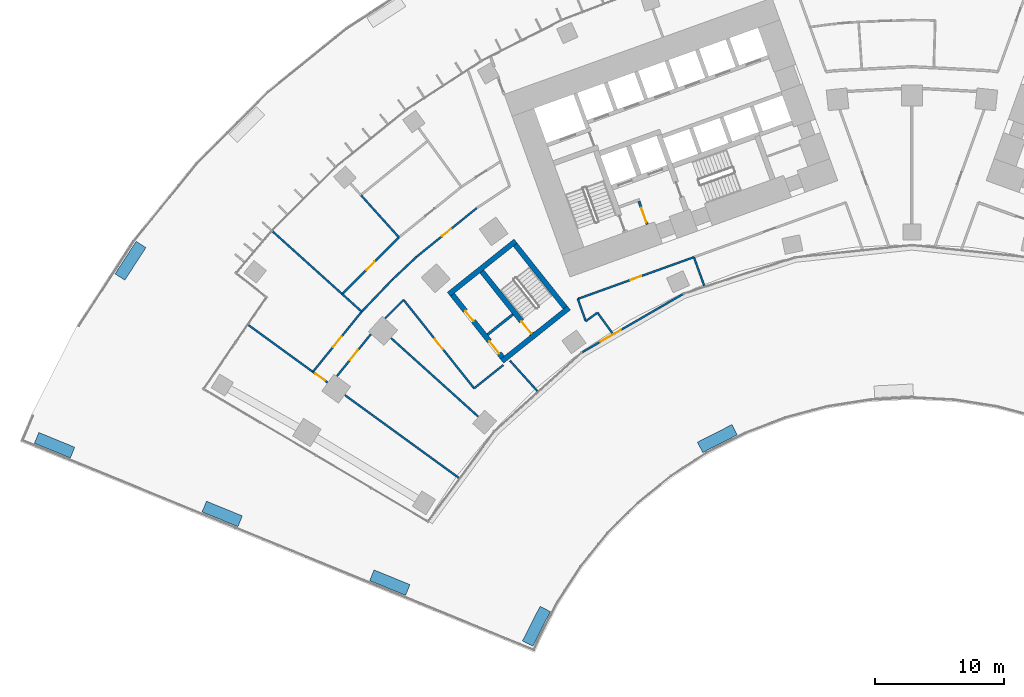
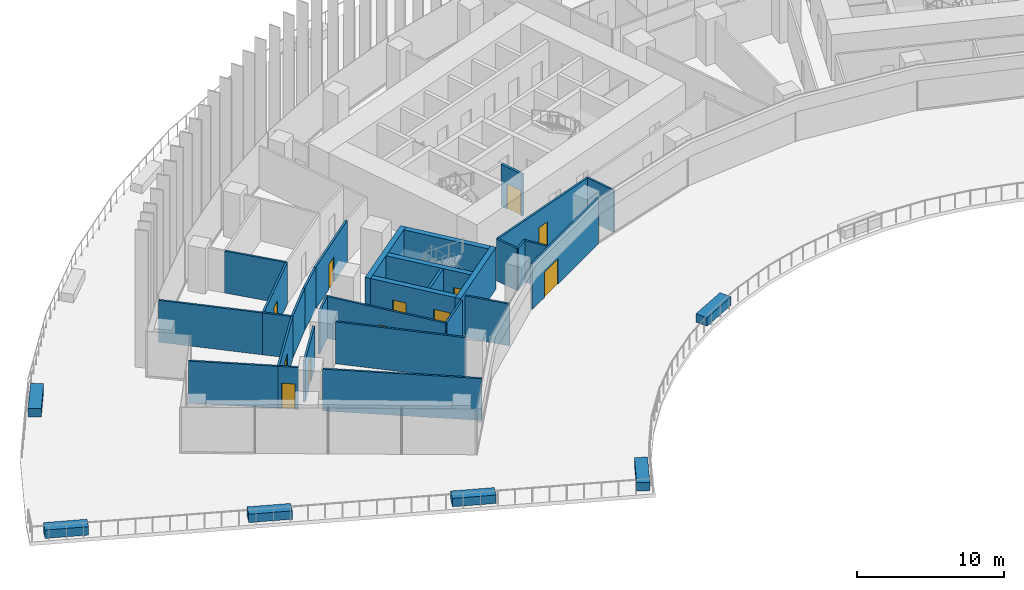
# One storey, part 15 of 24: 36 walls, 12 doors, 12 openings.
"""IFC4 building model written with IfcOpenShell, lengths in metres."""

from ifc_helpers import new_model, si_unit, direction, frame, frame_2d, origin, origin_2d, place, context, subcontext, project, spatial, rectangle, extrude, material, layer, layer_set, type_object, element, fill, save


model = new_model("IFC4")

# Units and contexts
model_context = context("Model", 3, precision=1e-05, world=origin(), true_north=direction((0.0, 1.0)))
body_context = subcontext(model_context, "Body", "Model", "MODEL_VIEW")
ifc_project = project(units=[si_unit("LENGTHUNIT", "METRE"), si_unit("AREAUNIT", "SQUARE_METRE"), si_unit("VOLUMEUNIT", "CUBIC_METRE"), si_unit("PLANEANGLEUNIT", "RADIAN"), si_unit("MASSUNIT", "GRAM", prefix="KILO")], contexts=[model_context])

# Site, building, storey
site_placement = place(None, origin())
site = spatial("IfcSite", under=ifc_project, at=site_placement, CompositionType="ELEMENT")
building_placement = place(site_placement, origin())
building = spatial("IfcBuilding", under=site, at=building_placement, Name="Stone Belt Terrace Tower", CompositionType="ELEMENT")
storey_placement = place(building_placement, frame((0.0, 0.0, 30.0)))
storey = spatial("IfcBuildingStorey", under=building, at=storey_placement, Name="L06", CompositionType="ELEMENT", Elevation=30.0)

# Wall, opening, door
ifc_material_1 = material(Name="Terracotta coloured glazed ceramic", Category="masonry")
ifc_layer_1 = layer(ifc_material_1, 0.14990234375)
ifc_layer_set_1 = layer_set([ifc_layer_1], Name="Ceramic rain-screen wall 150")
wall_type_1 = type_object("IfcWallType", Name="Ceramic rain-screen wall 150", PredefinedType="SOLIDWALL", material=ifc_layer_set_1)
wall_1_placement = place(storey_placement, frame((-25.49609375, 35.1474609375, 0.0), z_axis=(0.0, 0.0, 1.0), x_axis=(0.866019133895, 0.500010859609, 0.0)))
wall_1 = element("IfcWall", 1, at=wall_1_placement, inside=storey, type_object=wall_type_1, Name="Door wall L06", PredefinedType="SOLIDWALL", context=body_context, shape_type="SweptSolid", body=[
    extrude(rectangle(XDim=9.012939453125, YDim=0.14990234375, at=frame_2d((4.50634765625, 0.0))), origin(), (0.0, 0.0, 1.0), 3.800048828125),
])
opening_1_placement = place(wall_1_placement, frame((1.64990234375, 0.0, 0.0)))
opening_1 = element("IfcOpeningElement", 2, at=opening_1_placement, cuts=wall_1, Name="Opening L06-E01", PredefinedType="OPENING", context=body_context, shape_type="SweptSolid", body=[
    extrude(rectangle(XDim=1.800048828125, YDim=2.10009765625, at=frame_2d((0.89990234375, 1.050048828125))), frame((0.0, 0.0849609375, 0.0), z_axis=(0.0, -1.0, 0.0), x_axis=(1.0, 0.0, 0.0)), (0.0, 0.0, 1.0), 0.169921875),
])
ifc_material_2 = material(Name="Anodised aluminium glazed door", Category="aluminium")
door_type_1 = type_object("IfcDoorType", Name="Terrace double door 1800 x 2100", OperationType="DOUBLE_DOOR_DOUBLE_SWING", PredefinedType="DOOR", material=ifc_material_2)
door_1_placement = place(opening_1_placement, origin())
door_1 = element("IfcDoor", 3, at=door_1_placement, inside=storey, type_object=door_type_1, Name="Terrace door L06", OperationType="DOUBLE_DOOR_DOUBLE_SWING", OverallHeight=2.10009765625, OverallWidth=1.800048828125, PredefinedType="DOOR", context=body_context, shape_type="SweptSolid", body=[
    extrude(rectangle(XDim=1.800048828125, YDim=2.10009765625, at=frame_2d((0.89990234375, 1.050048828125))), frame((0.0, 0.02490234375, 0.0), z_axis=(0.0, -1.0, 0.0), x_axis=(1.0, 0.0, 0.0)), (0.0, 0.0, 1.0), 0.050048828125),
])
fill(opening_1, door_1)

# Walls
ifc_material_3 = material(Name="Gypsum board partition")
ifc_layer_2 = layer(ifc_material_3, 0.14990234375)
ifc_layer_set_2 = layer_set([ifc_layer_2], Name="PARTITION 150 EI 60")
wall_type_2 = type_object("IfcWallType", Name="PARTITION 150 EI 60", PredefinedType="PARTITIONING", material=ifc_layer_set_2)
wall_2_placement = place(storey_placement, frame((-25.827880859375, 39.280029296875, 0.0), z_axis=(0.0, 0.0, 1.0), x_axis=(0.338710020457, -0.940890813029, 0.0)))
element("IfcWall", 4, at=wall_2_placement, inside=storey, type_object=wall_type_2, Name="L06/wall/i001", PredefinedType="PARTITIONING", context=body_context, shape_type="SweptSolid", body=[
    extrude(rectangle(XDim=1.830078125, YDim=0.14990234375, at=frame_2d((0.9150390625, 0.0))), origin(), (0.0, 0.0, 1.0), 3.47998046875),
])
wall_3_placement = place(storey_placement, frame((-25.205078125, 37.556884765625, 0.0), z_axis=(0.0, 0.0, 1.0), x_axis=(0.808764478705, 0.588132653391, 0.0)))
element("IfcWall", 5, at=wall_3_placement, inside=storey, type_object=wall_type_2, Name="L06/wall/i002", PredefinedType="PARTITIONING", context=body_context, shape_type="SweptSolid", body=[
    extrude(rectangle(XDim=1.115478515625, YDim=0.14990234375, at=frame_2d((0.5576171875, 0.0))), origin(), (0.0, 0.0, 1.0), 3.47998046875),
])
wall_4_placement = place(storey_placement, frame((-24.302001953125, 38.2119140625, 0.0), z_axis=(0.0, 0.0, 1.0), x_axis=(0.587836546644, -0.808979724362, 0.0)))
element("IfcWall", 6, at=wall_4_placement, inside=storey, type_object=wall_type_2, Name="L06/wall/i003", PredefinedType="PARTITIONING", context=body_context, shape_type="SweptSolid", body=[
    extrude(rectangle(XDim=1.99267578125, YDim=0.14990234375, at=frame_2d((0.996337890625, 0.0))), origin(), (0.0, 0.0, 1.0), 3.47998046875),
])
wall_5_placement = place(storey_placement, frame((-28.94775390625, 32.149658203125, 0.0), z_axis=(0.0, 0.0, 1.0), x_axis=(-0.669245279782, 0.74304155704, 0.0)))
element("IfcWall", 7, at=wall_5_placement, inside=storey, type_object=wall_type_2, Name="L06/wall/i006", PredefinedType="PARTITIONING", context=body_context, shape_type="SweptSolid", body=[
    extrude(rectangle(XDim=3.172607421875, YDim=0.14990234375, at=frame_2d((1.58642578125, 0.0))), origin(), (0.0, 0.0, 1.0), 3.47998046875),
])

# Wall, opening, door
wall_6_placement = place(storey_placement, frame((-16.845947265625, 42.506103515625, 0.0), z_axis=(0.0, 0.0, 1.0), x_axis=(-0.940928824843, -0.338604410158, 0.0)))
wall_6 = element("IfcWall", 8, at=wall_6_placement, inside=storey, type_object=wall_type_2, Name="L06/wall/i014", PredefinedType="PARTITIONING", context=body_context, shape_type="SweptSolid", body=[
    extrude(rectangle(XDim=9.542724609375, YDim=0.14990234375, at=frame_2d((4.771484375, 0.0))), origin(), (0.0, 0.0, 1.0), 3.47998046875),
])
opening_2_placement = place(wall_6_placement, frame((4.3212890625, 0.0, 0.0)))
opening_2 = element("IfcOpeningElement", 9, at=opening_2_placement, cuts=wall_6, Name="Opening D-A1-01", PredefinedType="OPENING", context=body_context, shape_type="SweptSolid", body=[
    extrude(rectangle(XDim=0.89990234375, YDim=2.10009765625, at=frame_2d((0.449951171875, 1.050048828125))), frame((0.0, 0.0849609375, 0.0), z_axis=(0.0, -1.0, 0.0), x_axis=(1.0, 0.0, 0.0)), (0.0, 0.0, 1.0), 0.169921875),
])
ifc_material_4 = material(Name="Timber door leaf", Category="wood")
door_type_2 = type_object("IfcDoorType", Name="OFFICE DOOR 900 X 2100", OperationType="NOTDEFINED", PredefinedType="DOOR", material=ifc_material_4)
door_2_placement = place(opening_2_placement, origin())
door_2 = element("IfcDoor", 10, at=door_2_placement, inside=storey, type_object=door_type_2, Name="L06/door/i01", OperationType="SINGLE_SWING_RIGHT", OverallHeight=2.10009765625, OverallWidth=0.89990234375, PredefinedType="DOOR", context=body_context, shape_type="SweptSolid", body=[
    extrude(rectangle(XDim=0.89990234375, YDim=2.10009765625, at=frame_2d((0.449951171875, 1.050048828125))), frame((0.0, 0.02490234375, 0.0), z_axis=(0.0, -1.0, 0.0), x_axis=(1.0, 0.0, 0.0)), (0.0, 0.0, 1.0), 0.050048828125),
])
fill(opening_2, door_2)

# Wall
wall_7_placement = place(storey_placement, frame((-16.85205078125, 42.5029296875, 0.0), z_axis=(0.0, 0.0, 1.0), x_axis=(0.339252035749, -0.940695517285, 0.0)))
element("IfcWall", 11, at=wall_7_placement, inside=storey, type_object=wall_type_2, Name="L06/wall/i016", PredefinedType="PARTITIONING", context=body_context, shape_type="SweptSolid", body=[
    extrude(rectangle(XDim=2.369873046875, YDim=0.14990234375, at=frame_2d((1.18505859375, 0.0))), origin(), (0.0, 0.0, 1.0), 3.47998046875),
])

# Wall, opening, door
wall_8_placement = place(storey_placement, frame((-45.167236328125, 32.816162109375, 0.0), z_axis=(0.0, 0.0, 1.0), x_axis=(-0.809353623303, 0.587321643094, 0.0)))
wall_8 = element("IfcWall", 12, at=wall_8_placement, inside=storey, type_object=wall_type_2, Name="L06/wall/i033", PredefinedType="PARTITIONING", context=body_context, shape_type="SweptSolid", body=[
    extrude(rectangle(XDim=1.40087890625, YDim=0.14990234375, at=frame_2d((0.700439453125, 0.0))), origin(), (0.0, 0.0, 1.0), 3.47998046875),
])
opening_3_placement = place(wall_8_placement, frame((0.25048828125, 0.0, 0.0)))
opening_3 = element("IfcOpeningElement", 13, at=opening_3_placement, cuts=wall_8, Name="Opening D-A1-09", PredefinedType="OPENING", context=body_context, shape_type="SweptSolid", body=[
    extrude(rectangle(XDim=0.89990234375, YDim=2.10009765625, at=frame_2d((0.449951171875, 1.050048828125))), frame((0.0, 0.0849609375, 0.0), z_axis=(0.0, -1.0, 0.0), x_axis=(1.0, 0.0, 0.0)), (0.0, 0.0, 1.0), 0.169921875),
])
ifc_material_5 = material(Name="Timber fire door leaf", Category="wood")
door_type_3 = type_object("IfcDoorType", Name="TENANCY ENTRANCE DOOR 900 X 2100", OperationType="NOTDEFINED", PredefinedType="DOOR", material=ifc_material_5)
door_3_placement = place(opening_3_placement, origin())
door_3 = element("IfcDoor", 14, at=door_3_placement, inside=storey, type_object=door_type_3, Name="L06/door/i09", OperationType="SINGLE_SWING_RIGHT", OverallHeight=2.10009765625, OverallWidth=0.89990234375, PredefinedType="DOOR", context=body_context, shape_type="SweptSolid", body=[
    extrude(rectangle(XDim=0.89990234375, YDim=2.10009765625, at=frame_2d((0.449951171875, 1.050048828125))), frame((0.0, 0.02490234375, 0.0), z_axis=(0.0, -1.0, 0.0), x_axis=(1.0, 0.0, 0.0)), (0.0, 0.0, 1.0), 0.050048828125),
])
fill(opening_3, door_3)

# Walls
wall_9_placement = place(storey_placement, frame((-43.82470703125, 31.83984375, 0.0), z_axis=(0.0, 0.0, 1.0), x_axis=(0.80903281135, -0.587763481478, 0.0)))
element("IfcWall", 15, at=wall_9_placement, inside=storey, type_object=wall_type_2, Name="L06/wall/i034", PredefinedType="PARTITIONING", context=body_context, shape_type="SweptSolid", body=[
    extrude(rectangle(XDim=10.883544921875, YDim=0.14990234375, at=frame_2d((5.44189453125, 0.0))), origin(), (0.0, 0.0, 1.0), 3.47998046875),
])
wall_10_placement = place(storey_placement, frame((-51.27294921875, 37.251708984375, 0.0), z_axis=(0.0, 0.0, 1.0), x_axis=(0.809013729568, -0.587789745887, 0.0)))
element("IfcWall", 16, at=wall_10_placement, inside=storey, type_object=wall_type_2, Name="L06/wall/i035", PredefinedType="PARTITIONING", context=body_context, shape_type="SweptSolid", body=[
    extrude(rectangle(XDim=6.157958984375, YDim=0.14990234375, at=frame_2d((3.0791015625, 0.0))), origin(), (0.0, 0.0, 1.0), 3.47998046875),
])
wall_11_placement = place(storey_placement, frame((-40.1640625, 40.761962890625, 0.0), z_axis=(0.0, 0.0, 1.0), x_axis=(0.727996599904, 0.685580739613, 0.0)))
element("IfcWall", 17, at=wall_11_placement, inside=storey, type_object=wall_type_2, Name="L06/wall/i036", PredefinedType="PARTITIONING", context=body_context, shape_type="SweptSolid", body=[
    extrude(rectangle(XDim=2.572998046875, YDim=0.14990234375, at=frame_2d((1.28662109375, 0.0))), origin(), (0.0, 0.0, 1.0), 3.47998046875),
])

# Wall, opening, door
wall_12_placement = place(storey_placement, frame((-38.2900390625, 42.527099609375, 0.0), z_axis=(0.0, 0.0, 1.0), x_axis=(0.77714422733, 0.629322532513, 0.0)))
wall_12 = element("IfcWall", 18, at=wall_12_placement, inside=storey, type_object=wall_type_2, Name="L06/wall/i037", PredefinedType="PARTITIONING", context=body_context, shape_type="SweptSolid", body=[
    extrude(rectangle(XDim=5.98876953125, YDim=0.14990234375, at=frame_2d((2.994384765625, 0.0))), origin(), (0.0, 0.0, 1.0), 3.47998046875),
])
opening_4_placement = place(wall_12_placement, frame((2.54443359375, 0.0, 0.0)))
opening_4 = element("IfcOpeningElement", 19, at=opening_4_placement, cuts=wall_12, Name="Opening D-A1-12", PredefinedType="OPENING", context=body_context, shape_type="SweptSolid", body=[
    extrude(rectangle(XDim=0.89990234375, YDim=2.10009765625, at=frame_2d((0.449951171875, 1.050048828125))), frame((0.0, 0.0849609375, 0.0), z_axis=(0.0, -1.0, 0.0), x_axis=(1.0, 0.0, 0.0)), (0.0, 0.0, 1.0), 0.169921875),
])
door_4_placement = place(opening_4_placement, origin())
door_4 = element("IfcDoor", 20, at=door_4_placement, inside=storey, type_object=door_type_2, Name="L06/door/i12", OperationType="SINGLE_SWING_RIGHT", OverallHeight=2.10009765625, OverallWidth=0.89990234375, PredefinedType="DOOR", context=body_context, shape_type="SweptSolid", body=[
    extrude(rectangle(XDim=0.89990234375, YDim=2.10009765625, at=frame_2d((0.449951171875, 1.050048828125))), frame((0.0, 0.02490234375, 0.0), z_axis=(0.0, -1.0, 0.0), x_axis=(1.0, 0.0, 0.0)), (0.0, 0.0, 1.0), 0.050048828125),
])
fill(opening_4, door_4)

# Wall
wall_13_placement = place(storey_placement, frame((-39.285888671875, 39.200927734375, 0.0), z_axis=(0.0, 0.0, 1.0), x_axis=(-0.707106781187, -0.707106781187, 0.0)))
element("IfcWall", 21, at=wall_13_placement, inside=storey, type_object=wall_type_2, Name="L06/wall/i039", PredefinedType="PARTITIONING", context=body_context, shape_type="SweptSolid", body=[
    extrude(rectangle(XDim=2.017333984375, YDim=0.14990234375, at=frame_2d((1.0087890625, 0.0))), origin(), (0.0, 0.0, 1.0), 3.47998046875),
])

# Wall, opening, door
wall_14_placement = place(storey_placement, frame((-41.82373046875, 36.541259765625, 0.0), z_axis=(0.0, 0.0, 1.0), x_axis=(-0.629213442028, -0.777232554884, 0.0)))
wall_14 = element("IfcWall", 22, at=wall_14_placement, inside=storey, type_object=wall_type_2, Name="L06/wall/i040", PredefinedType="PARTITIONING", context=body_context, shape_type="SweptSolid", body=[
    extrude(rectangle(XDim=4.15478515625, YDim=0.14990234375, at=frame_2d((2.077392578125, 0.0))), origin(), (0.0, 0.0, 1.0), 3.47998046875),
])
opening_5_placement = place(wall_14_placement, frame((1.577392578125, 0.0, 0.0)))
opening_5 = element("IfcOpeningElement", 23, at=opening_5_placement, cuts=wall_14, Name="Opening D-A1-11", PredefinedType="OPENING", context=body_context, shape_type="SweptSolid", body=[
    extrude(rectangle(XDim=1.0, YDim=2.10009765625, at=frame_2d((0.5, 1.050048828125))), frame((0.0, 0.0849609375, 0.0), z_axis=(0.0, -1.0, 0.0), x_axis=(1.0, 0.0, 0.0)), (0.0, 0.0, 1.0), 0.169921875),
])
door_type_4 = type_object("IfcDoorType", Name="TENANCY ENTRANCE DOOR 1000 X 2100", OperationType="NOTDEFINED", PredefinedType="DOOR", material=ifc_material_5)
door_5_placement = place(opening_5_placement, origin())
door_5 = element("IfcDoor", 24, at=door_5_placement, inside=storey, type_object=door_type_4, Name="L06/door/i11", OperationType="SINGLE_SWING_RIGHT", OverallHeight=2.10009765625, OverallWidth=1.0, PredefinedType="DOOR", context=body_context, shape_type="SweptSolid", body=[
    extrude(rectangle(XDim=1.0, YDim=2.10009765625, at=frame_2d((0.5, 1.050048828125))), frame((0.0, 0.02490234375, 0.0), z_axis=(0.0, -1.0, 0.0), x_axis=(1.0, 0.0, 0.0)), (0.0, 0.0, 1.0), 0.050048828125),
])
fill(opening_5, door_5)

# Wall
wall_15_placement = place(storey_placement, frame((-42.52587890625, 38.291015625, 0.0), z_axis=(0.0, 0.0, 1.0), x_axis=(0.690963131402, 0.722889999269, 0.0)))
element("IfcWall", 25, at=wall_15_placement, inside=storey, type_object=wall_type_2, Name="L06/wall/i041", PredefinedType="PARTITIONING", context=body_context, shape_type="SweptSolid", body=[
    extrude(rectangle(XDim=3.418212890625, YDim=0.14990234375, at=frame_2d((1.708984375, 0.0))), origin(), (0.0, 0.0, 1.0), 3.47998046875),
])

# Wall, opening, door
wall_16_placement = place(storey_placement, frame((-46.2958984375, 33.635986328125, 0.0), z_axis=(0.0, 0.0, 1.0), x_axis=(0.629322532513, 0.77714422733, 0.0)))
wall_16 = element("IfcWall", 26, at=wall_16_placement, inside=storey, type_object=wall_type_2, Name="L06/wall/i042", PredefinedType="PARTITIONING", context=body_context, shape_type="SweptSolid", body=[
    extrude(rectangle(XDim=5.98876953125, YDim=0.14990234375, at=frame_2d((2.994384765625, 0.0))), origin(), (0.0, 0.0, 1.0), 3.47998046875),
])
opening_6_placement = place(wall_16_placement, frame((2.494384765625, 0.0, 0.0)))
opening_6 = element("IfcOpeningElement", 27, at=opening_6_placement, cuts=wall_16, Name="Opening D-A1-16", PredefinedType="OPENING", context=body_context, shape_type="SweptSolid", body=[
    extrude(rectangle(XDim=1.0, YDim=2.10009765625, at=frame_2d((0.5, 1.050048828125))), frame((0.0, 0.0849609375, 0.0), z_axis=(0.0, -1.0, 0.0), x_axis=(1.0, 0.0, 0.0)), (0.0, 0.0, 1.0), 0.169921875),
])
door_6_placement = place(opening_6_placement, origin())
door_6 = element("IfcDoor", 28, at=door_6_placement, inside=storey, type_object=door_type_4, Name="L06/door/i16", OperationType="SINGLE_SWING_RIGHT", OverallHeight=2.10009765625, OverallWidth=1.0, PredefinedType="DOOR", context=body_context, shape_type="SweptSolid", body=[
    extrude(rectangle(XDim=1.0, YDim=2.10009765625, at=frame_2d((0.5, 1.050048828125))), frame((0.0, 0.02490234375, 0.0), z_axis=(0.0, -1.0, 0.0), x_axis=(1.0, 0.0, 0.0)), (0.0, 0.0, 1.0), 0.050048828125),
])
fill(opening_6, door_6)

# Wall
wall_17_placement = place(storey_placement, frame((-31.58203125, 34.1640625, 0.0), z_axis=(0.0, 0.0, 1.0), x_axis=(-0.78211299795, -0.623136629029, 0.0)))
element("IfcWall", 29, at=wall_17_placement, inside=storey, type_object=wall_type_2, Name="L06/wall/i043", PredefinedType="PARTITIONING", context=body_context, shape_type="SweptSolid", body=[
    extrude(rectangle(XDim=2.88720703125, YDim=0.14990234375, at=frame_2d((1.443603515625, 0.0))), origin(), (0.0, 0.0, 1.0), 3.47998046875),
])

# Wall, opening, door
wall_18_placement = place(storey_placement, frame((-33.841064453125, 32.365966796875, 0.0), z_axis=(0.0, 0.0, 1.0), x_axis=(-0.623137799721, 0.782112065217, 0.0)))
wall_18 = element("IfcWall", 30, at=wall_18_placement, inside=storey, type_object=wall_type_2, Name="L06/wall/i044", PredefinedType="PARTITIONING", context=body_context, shape_type="SweptSolid", body=[
    extrude(rectangle(XDim=8.744384765625, YDim=0.14990234375, at=frame_2d((4.3720703125, 0.0))), origin(), (0.0, 0.0, 1.0), 3.47998046875),
])
opening_7_placement = place(wall_18_placement, frame((3.8720703125, 0.0, 0.0)))
opening_7 = element("IfcOpeningElement", 31, at=opening_7_placement, cuts=wall_18, Name="Opening D-A1-10", PredefinedType="OPENING", context=body_context, shape_type="SweptSolid", body=[
    extrude(rectangle(XDim=1.0, YDim=2.10009765625, at=frame_2d((0.5, 1.050048828125))), frame((0.0, 0.0849609375, 0.0), z_axis=(0.0, -1.0, 0.0), x_axis=(1.0, 0.0, 0.0)), (0.0, 0.0, 1.0), 0.169921875),
])
door_7_placement = place(opening_7_placement, origin())
door_7 = element("IfcDoor", 32, at=door_7_placement, inside=storey, type_object=door_type_4, Name="L06/door/i10", OperationType="SINGLE_SWING_RIGHT", OverallHeight=2.10009765625, OverallWidth=1.0, PredefinedType="DOOR", context=body_context, shape_type="SweptSolid", body=[
    extrude(rectangle(XDim=1.0, YDim=2.10009765625, at=frame_2d((0.5, 1.050048828125))), frame((0.0, 0.02490234375, 0.0), z_axis=(0.0, -1.0, 0.0), x_axis=(1.0, 0.0, 0.0)), (0.0, 0.0, 1.0), 0.050048828125),
])
fill(opening_7, door_7)

# Wall
wall_19_placement = place(storey_placement, frame((-33.515869140625, 30.177734375, 0.0), z_axis=(0.0, 0.0, 1.0), x_axis=(-0.743122805234, 0.669155061508, 0.0)))
element("IfcWall", 33, at=wall_19_placement, inside=storey, type_object=wall_type_2, Name="L06/wall/i045", PredefinedType="PARTITIONING", context=body_context, shape_type="SweptSolid", body=[
    extrude(rectangle(XDim=9.070068359375, YDim=0.14990234375, at=frame_2d((4.53515625, 0.0))), origin(), (0.0, 0.0, 1.0), 3.47998046875),
])

# Wall, opening, door
wall_20_placement = place(storey_placement, frame((-44.030029296875, 39.64599609375, 0.0), z_axis=(0.0, 0.0, 1.0), x_axis=(0.707106781187, 0.707106781187, 0.0)))
wall_20 = element("IfcWall", 34, at=wall_20_placement, inside=storey, type_object=wall_type_2, Name="L06/wall/i046", PredefinedType="PARTITIONING", context=body_context, shape_type="SweptSolid", body=[
    extrude(rectangle(XDim=6.201416015625, YDim=0.14990234375, at=frame_2d((3.1005859375, 0.0))), origin(), (0.0, 0.0, 1.0), 3.47998046875),
])
opening_8_placement = place(wall_20_placement, frame((2.650634765625, 0.0, 0.0)))
opening_8 = element("IfcOpeningElement", 35, at=opening_8_placement, cuts=wall_20, Name="Opening D-A1-13", PredefinedType="OPENING", context=body_context, shape_type="SweptSolid", body=[
    extrude(rectangle(XDim=0.89990234375, YDim=2.10009765625, at=frame_2d((0.449951171875, 1.050048828125))), frame((0.0, 0.0849609375, 0.0), z_axis=(0.0, -1.0, 0.0), x_axis=(1.0, 0.0, 0.0)), (0.0, 0.0, 1.0), 0.169921875),
])
door_8_placement = place(opening_8_placement, origin())
door_8 = element("IfcDoor", 36, at=door_8_placement, inside=storey, type_object=door_type_2, Name="L06/door/i13", OperationType="SINGLE_SWING_RIGHT", OverallHeight=2.10009765625, OverallWidth=0.89990234375, PredefinedType="DOOR", context=body_context, shape_type="SweptSolid", body=[
    extrude(rectangle(XDim=0.89990234375, YDim=2.10009765625, at=frame_2d((0.449951171875, 1.050048828125))), frame((0.0, 0.02490234375, 0.0), z_axis=(0.0, -1.0, 0.0), x_axis=(1.0, 0.0, 0.0)), (0.0, 0.0, 1.0), 0.050048828125),
])
fill(opening_8, door_8)

# Walls
wall_21_placement = place(storey_placement, frame((-42.52587890625, 38.291015625, 0.0), z_axis=(0.0, 0.0, 1.0), x_axis=(-0.742988249307, 0.669304460908, 0.0)))
element("IfcWall", 37, at=wall_21_placement, inside=storey, type_object=wall_type_2, Name="L06/wall/i049", PredefinedType="PARTITIONING", context=body_context, shape_type="SweptSolid", body=[
    extrude(rectangle(XDim=2.0244140625, YDim=0.14990234375, at=frame_2d((1.01220703125, 0.0))), origin(), (0.0, 0.0, 1.0), 3.47998046875),
])
wall_22_placement = place(storey_placement, frame((-42.593017578125, 47.304931640625, 0.0), z_axis=(0.0, 0.0, 1.0), x_axis=(0.669148410698, -0.743128793992, 0.0)))
element("IfcWall", 38, at=wall_22_placement, inside=storey, type_object=wall_type_2, Name="L06/wall/i050", PredefinedType="PARTITIONING", context=body_context, shape_type="SweptSolid", body=[
    extrude(rectangle(XDim=4.405517578125, YDim=0.14990234375, at=frame_2d((2.20263671875, 0.0))), origin(), (0.0, 0.0, 1.0), 3.47998046875),
])
wall_23_placement = place(storey_placement, frame((-44.030029296875, 39.64599609375, 0.0), z_axis=(0.0, 0.0, 1.0), x_axis=(-0.74319367285, 0.669076351874, 0.0)))
element("IfcWall", 39, at=wall_23_placement, inside=storey, type_object=wall_type_2, Name="L06/wall/i052", PredefinedType="PARTITIONING", context=body_context, shape_type="SweptSolid", body=[
    extrude(rectangle(XDim=7.25, YDim=0.14990234375, at=frame_2d((3.625, 0.0))), origin(), (0.0, 0.0, 1.0), 3.47998046875),
])
ifc_material_6 = material(Name="Precast concrete C40/50", Category="concrete")
ifc_layer_3 = layer(ifc_material_6, 0.89990234375)
ifc_layer_set_3 = layer_set([ifc_layer_3], Name="Planter box 900 x 700")
wall_type_3 = type_object("IfcWallType", Name="Planter box 900 x 700", PredefinedType="SOLIDWALL", material=ifc_layer_set_3)
for number, where, z_axis, x_axis, name in (
    (40, (-66.260986328125, 27.96826171875, 0.0), (0.0, 0.0, 1.0), (0.925297074342, -0.379243093825, 0.0), "PLANTER L06 1"),
    (41, (-53.306884765625, 22.658935546875, 0.0), (0.0, 0.0, 1.0), (0.925297074342, -0.379243093825, 0.0), "PLANTER L06 2"),
    (42, (-40.352783203125, 17.349609375, 0.0), (0.0, 0.0, 1.0), (0.925297074342, -0.379243093825, 0.0), "PLANTER L06 3"),
    (43, (-29.024658203125, 13.9775390625, 0.0), (0.0, 0.0, 1.0), (0.45399049974, 0.891006524188, 0.0), "PLANTER L06 4"),
    (44, (-15.039794921875, 28.4833984375, 0.0), (0.0, 0.0, 1.0), (0.891006524188, 0.45399049974, 0.0), "PLANTER L06 1"),
    (45, (-60.3935546875, 42.225341796875, 0.0), (0.0, 0.0, 1.0), (-0.544639035015, -0.838670567945, 0.0), "PLANTER L06 3"),
):
    element("IfcWall", number, at=place(storey_placement, frame(where, z_axis=z_axis, x_axis=x_axis)), inside=storey, type_object=wall_type_3, Name=name, PredefinedType="SOLIDWALL", context=body_context, shape_type="SweptSolid", body=[
        extrude(rectangle(XDim=3.0, YDim=0.89990234375, at=origin_2d()), origin(), (0.0, 0.0, 1.0), 0.699951171875),
    ])

# Wall, opening, door
ifc_material_7 = material(Name="Concrete masonry block", Category="masonry")
ifc_layer_4 = layer(ifc_material_7, 0.199951171875)
ifc_layer_set_4 = layer_set([ifc_layer_4], Name="Rated lobby wall 200")
wall_type_4 = type_object("IfcWallType", Name="Rated lobby wall 200", PredefinedType="PARTITIONING", material=ifc_layer_set_4)
wall_24_placement = place(storey_placement, frame((-20.4580078125, 45.032958984375, 0.0), z_axis=(0.0, 0.0, 1.0), x_axis=(-0.338573865316, 0.940939816208, 0.0)))
wall_24 = element("IfcWall", 46, at=wall_24_placement, inside=storey, type_object=wall_type_4, Name="Core A wall", PredefinedType="PARTITIONING", context=body_context, shape_type="SweptSolid", body=[
    extrude(rectangle(XDim=1.900146484375, YDim=0.199951171875, at=frame_2d((0.9501953125, 0.0))), origin(), (0.0, 0.0, 1.0), 3.47998046875),
])
opening_9_placement = place(wall_24_placement, frame((0.14990234375, 0.0, 0.0)))
opening_9 = element("IfcOpeningElement", 47, at=opening_9_placement, cuts=wall_24, Name="Opening L06-C04", PredefinedType="OPENING", context=body_context, shape_type="SweptSolid", body=[
    extrude(rectangle(XDim=1.199951171875, YDim=2.10009765625, at=frame_2d((0.60009765625, 1.050048828125))), frame((0.0, 0.10986328125, 0.0), z_axis=(0.0, -1.0, 0.0), x_axis=(1.0, 0.0, 0.0)), (0.0, 0.0, 1.0), 0.219970703125),
])
ifc_material_8 = material(Name="Steel door leaf", Category="steel")
door_type_5 = type_object("IfcDoorType", Name="Stair door 1200", OperationType="SINGLE_SWING_LEFT", PredefinedType="DOOR", material=ifc_material_8)
door_9_placement = place(opening_9_placement, origin())
door_9 = element("IfcDoor", 48, at=door_9_placement, inside=storey, type_object=door_type_5, Name="Stair airlock door core A", OperationType="SINGLE_SWING_LEFT", OverallHeight=2.10009765625, OverallWidth=1.199951171875, PredefinedType="DOOR", context=body_context, shape_type="SweptSolid", body=[
    extrude(rectangle(XDim=1.199951171875, YDim=2.10009765625, at=frame_2d((0.60009765625, 1.050048828125))), frame((0.0, 0.02490234375, 0.0), z_axis=(0.0, -1.0, 0.0), x_axis=(1.0, 0.0, 0.0)), (0.0, 0.0, 1.0), 0.050048828125),
])
fill(opening_9, door_9)

# Walls
wall_25_placement = place(storey_placement, frame((-30.845703125, 38.074951171875, 0.0), z_axis=(0.0, 0.0, 1.0), x_axis=(-0.782115323833, -0.623133709749, 0.0)))
element("IfcWall", 49, at=wall_25_placement, inside=storey, type_object=wall_type_4, Name="Exit stair ST3A wall", PredefinedType="PARTITIONING", context=body_context, shape_type="SweptSolid", body=[
    extrude(rectangle(XDim=2.5, YDim=0.199951171875, at=frame_2d((1.25, 0.0))), origin(), (0.0, 0.0, 1.0), 3.47998046875),
])
ifc_material_9 = material(Name="Concrete B80", Category="concrete")
ifc_layer_5 = layer(ifc_material_9, 0.39990234375)
ifc_layer_set_5 = layer_set([ifc_layer_5], Name="Stair enclosure wall 400")
wall_type_5 = type_object("IfcWallType", Name="Stair enclosure wall 400", PredefinedType="SHEAR", material=ifc_layer_set_5)
for number, where, z_axis, x_axis, name in (
    (50, (-26.518798828125, 38.58154296875, 0.0), (0.0, 0.0, 1.0), (-0.782133914161, -0.623110375711, 0.0), "Exit stair ST3A wall"),
    (51, (-30.63134765625, 43.74365234375, 0.0), (0.0, 0.0, 1.0), (-0.782133914161, -0.623110375711, 0.0), "Exit stair ST3A wall"),
):
    element("IfcWall", number, at=place(storey_placement, frame(where, z_axis=z_axis, x_axis=x_axis)), inside=storey, type_object=wall_type_5, Name=name, PredefinedType="SHEAR", context=body_context, shape_type="SweptSolid", body=[
        extrude(rectangle(XDim=6.60009765625, YDim=0.39990234375, at=frame_2d((3.300048828125, 0.0))), origin(), (0.0, 0.0, 1.0), 3.47998046875),
    ])
wall_26_placement = place(storey_placement, frame((-26.7998046875, 38.61328125, 0.0), z_axis=(0.0, 0.0, 1.0), x_axis=(-0.623118653668, 0.782127319208, 0.0)))
element("IfcWall", 52, at=wall_26_placement, inside=storey, type_object=wall_type_5, Name="Exit stair ST3A wall", PredefinedType="SHEAR", context=body_context, shape_type="SweptSolid", body=[
    extrude(rectangle(XDim=6.199951171875, YDim=0.39990234375, at=frame_2d((3.10009765625, 0.0))), origin(), (0.0, 0.0, 1.0), 3.47998046875),
])

# Wall, openings, doors
wall_27_placement = place(storey_placement, frame((-31.64892578125, 34.75, 0.0), z_axis=(0.0, 0.0, 1.0), x_axis=(-0.623118653668, 0.782127319208, 0.0)))
wall_27 = element("IfcWall", 53, at=wall_27_placement, inside=storey, type_object=wall_type_5, Name="Exit stair ST3A wall", PredefinedType="SHEAR", context=body_context, shape_type="SweptSolid", body=[
    extrude(rectangle(XDim=6.199951171875, YDim=0.39990234375, at=frame_2d((3.10009765625, 0.0))), origin(), (0.0, 0.0, 1.0), 3.47998046875),
])
opening_10_placement = place(wall_27_placement, frame((0.39990234375, 0.0, 0.0)))
opening_10 = element("IfcOpeningElement", 54, at=opening_10_placement, cuts=wall_27, Name="Opening L06-C20", PredefinedType="OPENING", context=body_context, shape_type="SweptSolid", body=[
    extrude(rectangle(XDim=1.199951171875, YDim=2.10009765625, at=frame_2d((0.60009765625, 1.050048828125))), frame((0.0, 0.2099609375, 0.0), z_axis=(0.0, -1.0, 0.0), x_axis=(1.0, 0.0, 0.0)), (0.0, 0.0, 1.0), 0.419921875),
])
opening_11_placement = place(wall_27_placement, frame((3.60009765625, 0.0, 0.0)))
opening_11 = element("IfcOpeningElement", 55, at=opening_11_placement, cuts=wall_27, Name="Opening L06-C21", PredefinedType="OPENING", context=body_context, shape_type="SweptSolid", body=[
    extrude(rectangle(XDim=1.0, YDim=2.10009765625, at=frame_2d((0.5, 1.050048828125))), frame((0.0, 0.2099609375, 0.0), z_axis=(0.0, -1.0, 0.0), x_axis=(1.0, 0.0, 0.0)), (0.0, 0.0, 1.0), 0.419921875),
])
door_type_6 = type_object("IfcDoorType", Name="Core room door 1000", OperationType="SINGLE_SWING_LEFT", PredefinedType="DOOR", material=ifc_material_4)
door_10_placement = place(opening_11_placement, origin())
door_10 = element("IfcDoor", 56, at=door_10_placement, inside=storey, type_object=door_type_6, Name="Door to stair pressurisation plant room ST3A", OperationType="SINGLE_SWING_RIGHT", OverallHeight=2.10009765625, OverallWidth=1.0, PredefinedType="DOOR", context=body_context, shape_type="SweptSolid", body=[
    extrude(rectangle(XDim=1.0, YDim=2.10009765625, at=frame_2d((0.5, 1.050048828125))), frame((0.0, 0.02490234375, 0.0), z_axis=(0.0, -1.0, 0.0), x_axis=(1.0, 0.0, 0.0)), (0.0, 0.0, 1.0), 0.050048828125),
])
fill(opening_11, door_10)
door_type_7 = type_object("IfcDoorType", Name="Stair airlock door 1200", OperationType="SINGLE_SWING_LEFT", PredefinedType="DOOR", material=ifc_material_8)
door_11_placement = place(opening_10_placement, origin())
door_11 = element("IfcDoor", 57, at=door_11_placement, inside=storey, type_object=door_type_7, Name="Stair airlock door ST3A", OperationType="SINGLE_SWING_RIGHT", OverallHeight=2.10009765625, OverallWidth=1.199951171875, PredefinedType="DOOR", context=body_context, shape_type="SweptSolid", body=[
    extrude(rectangle(XDim=1.199951171875, YDim=2.10009765625, at=frame_2d((0.60009765625, 1.050048828125))), frame((0.0, 0.02490234375, 0.0), z_axis=(0.0, -1.0, 0.0), x_axis=(1.0, 0.0, 0.0)), (0.0, 0.0, 1.0), 0.050048828125),
])
fill(opening_10, door_11)

# Wall, opening, door
wall_28_placement = place(storey_placement, frame((-29.380859375, 36.556884765625, 0.0), z_axis=(0.0, 0.0, 1.0), x_axis=(-0.623099462847, 0.782142608097, 0.0)))
wall_28 = element("IfcWall", 58, at=wall_28_placement, inside=storey, type_object=wall_type_5, Name="Exit stair ST3A wall", PredefinedType="SHEAR", context=body_context, shape_type="SweptSolid", body=[
    extrude(rectangle(XDim=6.2001953125, YDim=0.39990234375, at=frame_2d((3.10009765625, 0.0))), origin(), (0.0, 0.0, 1.0), 3.47998046875),
])
opening_12_placement = place(wall_28_placement, frame((0.050048828125, 0.0, 0.0)))
opening_12 = element("IfcOpeningElement", 59, at=opening_12_placement, cuts=wall_28, Name="Opening L06-C19", PredefinedType="OPENING", context=body_context, shape_type="SweptSolid", body=[
    extrude(rectangle(XDim=1.199951171875, YDim=2.10009765625, at=frame_2d((0.60009765625, 1.050048828125))), frame((0.0, 0.2099609375, 0.0), z_axis=(0.0, -1.0, 0.0), x_axis=(1.0, 0.0, 0.0)), (0.0, 0.0, 1.0), 0.419921875),
])
door_12_placement = place(opening_12_placement, origin())
door_12 = element("IfcDoor", 60, at=door_12_placement, inside=storey, type_object=door_type_5, Name="Stair door ST3A", OperationType="SINGLE_SWING_LEFT", OverallHeight=2.10009765625, OverallWidth=1.199951171875, PredefinedType="DOOR", context=body_context, shape_type="SweptSolid", body=[
    extrude(rectangle(XDim=1.199951171875, YDim=2.10009765625, at=frame_2d((0.60009765625, 1.050048828125))), frame((0.0, 0.02490234375, 0.0), z_axis=(0.0, -1.0, 0.0), x_axis=(1.0, 0.0, 0.0)), (0.0, 0.0, 1.0), 0.050048828125),
])
fill(opening_12, door_12)

save(model, "model.ifc")
